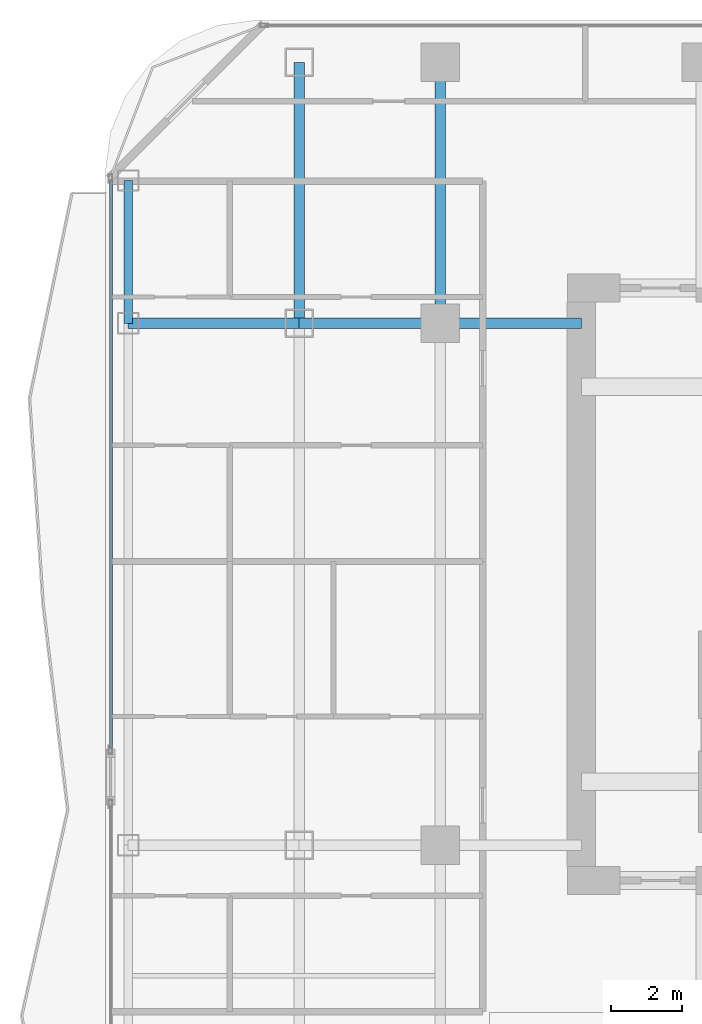
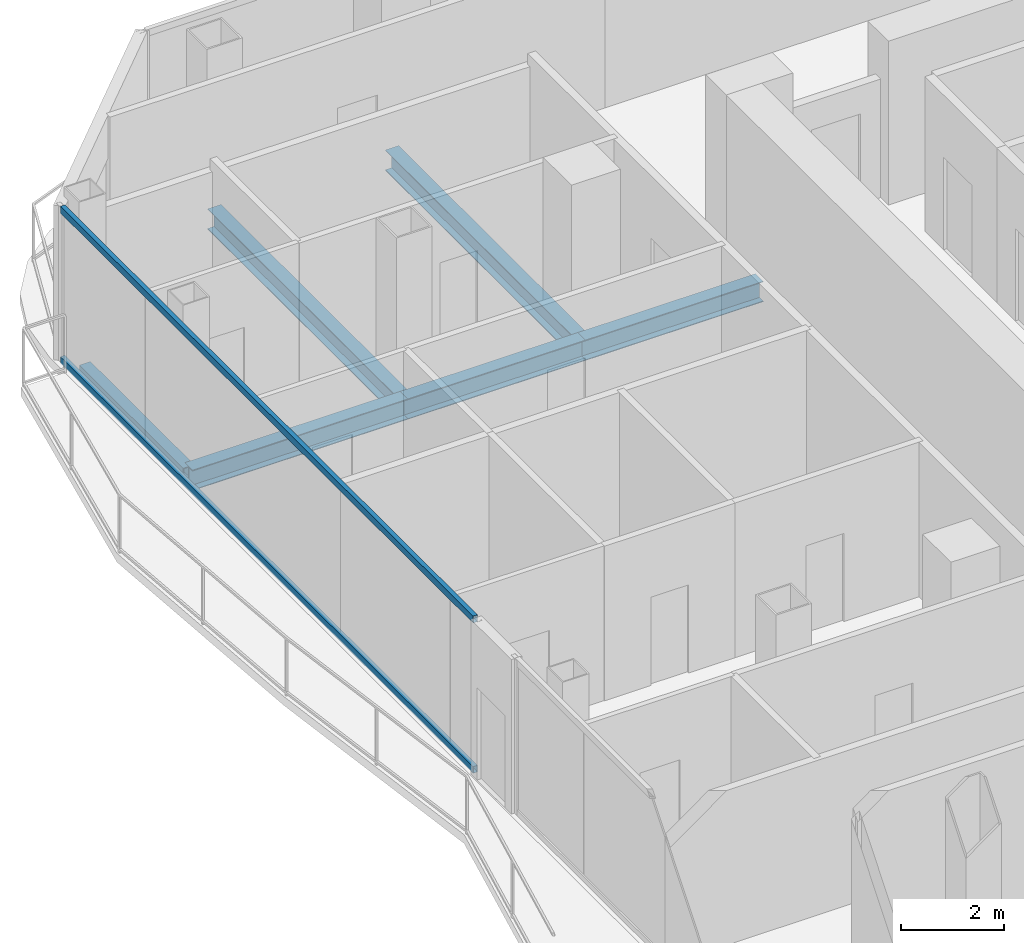
# One storey, part 10 of 23: 6 beams, 2 members, 1 element without a shape of its own.
"""IFC4 building model written with IfcOpenShell, lengths in metres."""

from ifc_helpers import new_model, si_unit, direction, frame, origin, origin_2d, place, context, subcontext, project, spatial, hollow_rectangle, i_section, extrude, material, layer, layer_set, material_profile, profile_set, type_object, element, aggregate, save


model = new_model("IFC4")

# Units and contexts
model_context = context("Model", 3, precision=1e-05, world=origin(), true_north=direction((0.0, 1.0)))
body_context = subcontext(model_context, "Body", "Model", "MODEL_VIEW")
ifc_project = project(units=[si_unit("LENGTHUNIT", "METRE"), si_unit("AREAUNIT", "SQUARE_METRE"), si_unit("VOLUMEUNIT", "CUBIC_METRE"), si_unit("PLANEANGLEUNIT", "RADIAN"), si_unit("MASSUNIT", "GRAM", prefix="KILO")], contexts=[model_context])

# Site, building, storey
site_placement = place(None, origin())
site = spatial("IfcSite", under=ifc_project, at=site_placement, CompositionType="ELEMENT")
building_placement = place(site_placement, origin())
building = spatial("IfcBuilding", under=site, at=building_placement, Name="Khorvyn Point Tower", CompositionType="ELEMENT")
storey_placement = place(building_placement, frame((0.0, 0.0, 199.199951171875)))
storey = spatial("IfcBuildingStorey", under=building, at=storey_placement, Name="L49", CompositionType="ELEMENT", Elevation=199.199951171875)

# Curtain wall, members
ifc_material_1 = material(Name="Anodised aluminium 6063-T6 and laminated Low-E glass", Category="aluminium")
ifc_layer = layer(ifc_material_1, 0.18994140625)
ifc_layer_set = layer_set([ifc_layer], Name="Stick-Built Acoustic Curtain Wall CW-SYS-03")
curtain_wall_type = type_object("IfcCurtainWallType", Name="Stick-Built Acoustic Curtain Wall CW-SYS-03", PredefinedType="NOTDEFINED", material=ifc_layer_set)
curtain_wall_placement = place(storey_placement, origin())
curtain_wall = element("IfcCurtainWall", 1, at=curtain_wall_placement, inside=storey, type_object=curtain_wall_type, Name="Curtain Wall", PredefinedType="NOTDEFINED")
ifc_material_2 = material(Name="Anodised aluminium 6063-T6", Category="aluminium")
ifc_material_profile_1 = material_profile(ifc_material_2, hollow_rectangle(XDim=0.10009765625, YDim=0.159912109375, WallThickness=0.00439453125, at=origin_2d()))
ifc_profile_set_1 = profile_set([ifc_material_profile_1], Name="Anodised aluminium 6063-T6 ALU-TRN-100x160")
member_type = type_object("IfcMemberType", Name="Anodised Aluminium 6063-T6 Transom ALU-TRN-100x160", PredefinedType="USERDEFINED", material=ifc_profile_set_1)
member_1_placement = place(storey_placement, frame((-24.14990234375, -4.64404296875, 0.050048828125), z_axis=(0.0, 1.0, 0.0), x_axis=(-1.0, 0.0, 0.0)))
member_1 = element("IfcMember", 2, at=member_1_placement, type_object=member_type, Name="Transom", ObjectType="TRANSOM", PredefinedType="USERDEFINED", context=body_context, shape_type="SweptSolid", body=[
    extrude(hollow_rectangle(XDim=0.10009765625, YDim=0.159912109375, WallThickness=0.00439453125, at=origin_2d()), origin(), (0.0, 0.0, 1.0), 16.093994140625),
])
member_2_placement = place(storey_placement, frame((-24.14990234375, -4.64404296875, 3.630126953125), z_axis=(0.0, 1.0, 0.0), x_axis=(-1.0, 0.0, 0.0)))
member_2 = element("IfcMember", 3, at=member_2_placement, type_object=member_type, Name="Transom", ObjectType="TRANSOM", PredefinedType="USERDEFINED", context=body_context, shape_type="SweptSolid", body=[
    extrude(hollow_rectangle(XDim=0.10009765625, YDim=0.159912109375, WallThickness=0.00439453125, at=origin_2d()), origin(), (0.0, 0.0, 1.0), 16.093994140625),
])
aggregate(curtain_wall, [member_1, member_2])

# Beams
ifc_material_3 = material(Name="Steel S355", Category="steel")
ifc_material_profile_2 = material_profile(ifc_material_3, i_section(OverallWidth=0.300048828125, OverallDepth=0.488037109375, WebThickness=0.010986328125, FlangeThickness=0.01806640625, at=origin_2d()))
ifc_profile_set_2 = profile_set([ifc_material_profile_2], Name="Steel S355 H488x300x11x18")
beam_type_1 = type_object("IfcBeamType", Name="Steel S355 Spandrel H488x300x11x18", PredefinedType="SPANDREL", material=ifc_profile_set_2)
beam_1_placement = place(storey_placement, frame((-23.64990234375, 7.39990234375, -0.4638671875), z_axis=(1.0, 0.0, 0.0), x_axis=(0.0, 1.0, 0.0)))
element("IfcBeam", 4, at=beam_1_placement, inside=storey, type_object=beam_type_1, Name="Beam", PredefinedType="SPANDREL", context=body_context, shape_type="SweptSolid", body=[
    extrude(i_section(OverallWidth=0.300048828125, OverallDepth=0.488037109375, WebThickness=0.010986328125, FlangeThickness=0.01806640625, at=origin_2d()), origin(), (0.0, 0.0, 1.0), 4.849853515625),
])
for number, where, z_axis, x_axis, name in (
    (5, (-18.800048828125, 7.39990234375, -0.4638671875), (1.0, 0.0, 0.0), (0.0, 1.0, 0.0), "Beam"),
    (6, (-14.800048828125, 7.39990234375, -0.4638671875), (1.0, 0.0, 0.0), (0.0, 1.0, 0.0), "Beam"),
):
    element("IfcBeam", number, at=place(storey_placement, frame(where, z_axis=z_axis, x_axis=x_axis)), inside=storey, type_object=beam_type_1, Name=name, PredefinedType="SPANDREL", context=body_context, shape_type="SweptSolid", body=[
        extrude(i_section(OverallWidth=0.300048828125, OverallDepth=0.488037109375, WebThickness=0.010986328125, FlangeThickness=0.01806640625, at=origin_2d()), origin(), (0.0, 0.0, 1.0), 4.0),
    ])
for number, where, z_axis, x_axis, name in (
    (7, (-14.800048828125, 7.39990234375, -0.4638671875), (0.0, 1.0, 0.0), (-1.0, 0.0, 0.0), "Beam"),
    (8, (-18.800048828125, 7.39990234375, -0.4638671875), (0.0, 1.0, 0.0), (-1.0, 0.0, 0.0), "Beam"),
):
    element("IfcBeam", number, at=place(storey_placement, frame(where, z_axis=z_axis, x_axis=x_axis)), inside=storey, type_object=beam_type_1, Name=name, PredefinedType="SPANDREL", context=body_context, shape_type="SweptSolid", body=[
        extrude(i_section(OverallWidth=0.300048828125, OverallDepth=0.488037109375, WebThickness=0.010986328125, FlangeThickness=0.01806640625, at=origin_2d()), origin(), (0.0, 0.0, 1.0), 7.400146484375),
    ])
ifc_material_profile_3 = material_profile(ifc_material_3, hollow_rectangle(XDim=0.25, YDim=0.39990234375, WallThickness=0.01611328125, at=origin_2d()))
ifc_profile_set_3 = profile_set([ifc_material_profile_3], Name="Steel S355 RHS400x250x16")
beam_type_2 = type_object("IfcBeamType", Name="Steel S355 Spandrel RHS400x250x16", PredefinedType="SPANDREL", material=ifc_profile_set_3)
beam_2_placement = place(storey_placement, frame((-23.64990234375, 7.39990234375, -0.419921875), z_axis=(0.0, 1.0, 0.0), x_axis=(-1.0, 0.0, 0.0)))
element("IfcBeam", 9, at=beam_2_placement, inside=storey, type_object=beam_type_2, Name="Beam", PredefinedType="SPANDREL", context=body_context, shape_type="SweptSolid", body=[
    extrude(hollow_rectangle(XDim=0.25, YDim=0.39990234375, WallThickness=0.01611328125, at=origin_2d()), origin(), (0.0, 0.0, 1.0), 4.050048828125),
])

save(model, "model.ifc")
